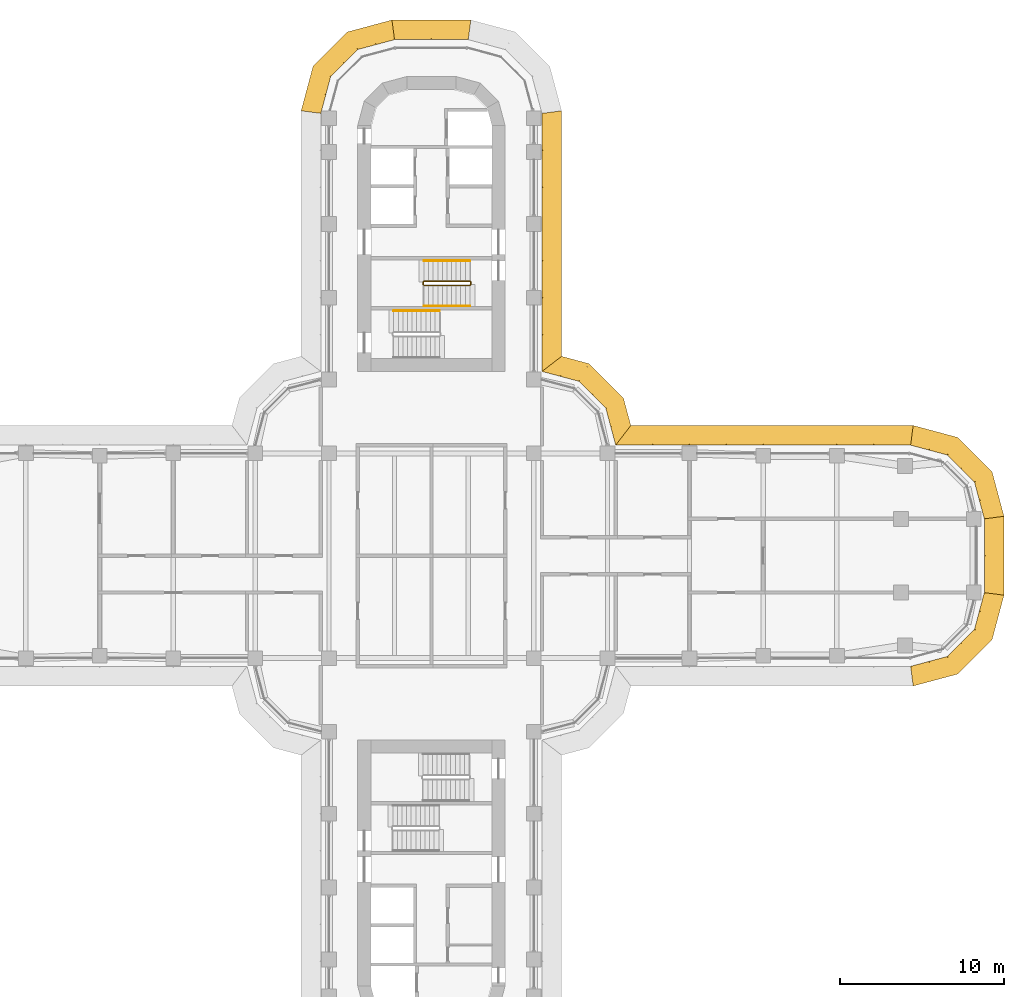
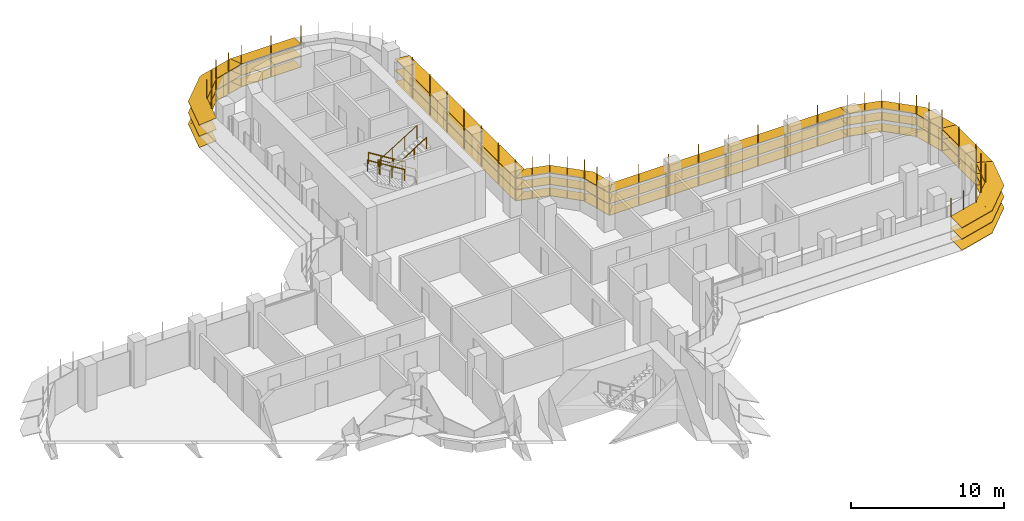
# One storey, part 21 of 22: 8 shading devices, 4 railings.
"""IFC4 building model written with IfcOpenShell, lengths in metres."""

from ifc_helpers import new_model, si_unit, direction, frame, origin, origin_2d, place, context, subcontext, project, spatial, polyline, circle, outline, extrude, faceted_brep, source, transform, mapped, material, type_object, element, save


model = new_model("IFC4")

# Units and contexts
model_context = context("Model", 3, precision=1e-05, world=origin(), true_north=direction((0.0, 1.0)))
body_context = subcontext(model_context, "Body", "Model", "MODEL_VIEW")
ifc_project = project(units=[si_unit("LENGTHUNIT", "METRE"), si_unit("AREAUNIT", "SQUARE_METRE"), si_unit("VOLUMEUNIT", "CUBIC_METRE"), si_unit("PLANEANGLEUNIT", "RADIAN"), si_unit("MASSUNIT", "GRAM", prefix="KILO")], contexts=[model_context])

# Site, building, storey
site_placement = place(None, origin())
site = spatial("IfcSite", under=ifc_project, at=site_placement, CompositionType="ELEMENT")
building_placement = place(site_placement, origin())
building = spatial("IfcBuilding", under=site, at=building_placement, Name="Zarbagh Exchange Tower", CompositionType="ELEMENT")
storey_placement = place(building_placement, frame((0.0, 0.0, 109.39990234375)))
storey = spatial("IfcBuildingStorey", under=building, at=storey_placement, Name="L25", CompositionType="ELEMENT", Elevation=109.39990234375)

# Railings
ifc_material_1 = material(Name="Stainless steel", Category="steel")
railing_type_1 = type_object("IfcRailingType", Name="Stair guard 1100 mm", PredefinedType="GUARDRAIL", material=ifc_material_1)
railing_1_placement = place(storey_placement, frame((-0.449951171875, 16.5, 2.07275390625)))
element("IfcRailing", 1, at=railing_1_placement, inside=storey, type_object=railing_type_1, Name="ST1 stair guard 1", PredefinedType="GUARDRAIL", context=body_context, shape_type="SweptSolid", body=[
    extrude(circle(Radius=0.02392578125, at=origin_2d()), frame((0.0, 0.0, 1.076171875), z_axis=(0.851089632645, 0.0, 0.525020415988), x_axis=(0.0, 1.0, 0.0)), (0.0, 0.0, 1.0), 3.2900390625),
    extrude(circle(Radius=0.02392578125, at=origin_2d()), frame((2.800048828125, 0.0, 2.80322265625), z_axis=(0.013104066473, 0.013168302093, -0.99982742474), x_axis=(-0.708833529934, 0.705375805398, 0.0)), (0.0, 0.0, 1.0), 3.80078125),
    extrude(circle(Radius=0.02392578125, at=origin_2d()), frame((2.849853515625, 0.050048828125, -0.99658203125), z_axis=(0.0, 1.0, 0.0), x_axis=(-1.0, 0.0, 0.0)), (0.0, 0.0, 1.0), 0.14990234375),
    extrude(circle(Radius=0.02392578125, at=origin_2d()), frame((2.849853515625, 0.199951171875, -0.99658203125), z_axis=(-0.266739603011, 0.268047150085, 0.925743328097), x_axis=(-0.708833529934, -0.705375805398, 0.0)), (0.0, 0.0, 1.0), 0.186767578125),
    extrude(circle(Radius=0.02392578125, at=origin_2d()), frame((2.800048828125, 0.25, -0.82373046875), z_axis=(-0.851089632645, 0.0, 0.525020415988), x_axis=(0.0, -1.0, 0.0)), (0.0, 0.0, 1.0), 3.2900390625),
    extrude(circle(Radius=0.02392578125, at=origin_2d()), frame((0.0, 0.25, 0.9033203125), z_axis=(-0.707106781187, -0.707106781187, 0.0), x_axis=(0.707106781187, -0.707106781187, 0.0)), (0.0, 0.0, 1.0), 0.07080078125),
    extrude(circle(Radius=0.02392578125, at=origin_2d()), frame((-0.050048828125, 0.199951171875, 0.9033203125), z_axis=(0.0, -1.0, 0.0), x_axis=(1.0, 0.0, 0.0)), (0.0, 0.0, 1.0), 0.14990234375),
    extrude(circle(Radius=0.02099609375, at=origin_2d()), origin(), (0.0, 0.0, 1.0), 1.052001953125),
    extrude(circle(Radius=0.02099609375, at=origin_2d()), frame((0.933349609375, 0.0, 0.57568359375)), (0.0, 0.0, 1.0), 1.052001953125),
    extrude(circle(Radius=0.02099609375, at=origin_2d()), frame((1.86669921875, 0.0, 1.151611328125)), (0.0, 0.0, 1.0), 1.052001953125),
    extrude(circle(Radius=0.02099609375, at=origin_2d()), frame((2.800048828125, 0.0, 1.727294921875)), (0.0, 0.0, 1.0), 1.052001953125),
    extrude(circle(Radius=0.02099609375, at=origin_2d()), frame((2.8125, 0.012451171875, 0.77734375)), (0.0, 0.0, 1.0), 1.052001953125),
    extrude(circle(Radius=0.02099609375, at=origin_2d()), frame((2.824951171875, 0.02490234375, -0.1728515625)), (0.0, 0.0, 1.0), 1.052001953125),
    extrude(circle(Radius=0.02099609375, at=origin_2d()), frame((2.83740234375, 0.03759765625, -1.122802734375)), (0.0, 0.0, 1.0), 1.052001953125),
    extrude(circle(Radius=0.02099609375, at=origin_2d()), frame((2.849853515625, 0.050048828125, -2.07275390625)), (0.0, 0.0, 1.0), 1.052001953125),
    extrude(circle(Radius=0.02099609375, at=origin_2d()), frame((2.849853515625, 0.199951171875, -2.07275390625)), (0.0, 0.0, 1.0), 1.052001953125),
    extrude(circle(Radius=0.02099609375, at=origin_2d()), frame((2.800048828125, 0.25, -1.89990234375)), (0.0, 0.0, 1.0), 1.052001953125),
    extrude(circle(Radius=0.02099609375, at=origin_2d()), frame((1.86669921875, 0.25, -1.32421875)), (0.0, 0.0, 1.0), 1.052001953125),
    extrude(circle(Radius=0.02099609375, at=origin_2d()), frame((0.933349609375, 0.25, -0.748291015625)), (0.0, 0.0, 1.0), 1.052001953125),
    extrude(circle(Radius=0.02099609375, at=origin_2d()), frame((0.0, 0.25, -0.172607421875)), (0.0, 0.0, 1.0), 1.052001953125),
    extrude(circle(Radius=0.02099609375, at=origin_2d()), frame((-0.050048828125, 0.199951171875, -0.172607421875)), (0.0, 0.0, 1.0), 1.052001953125),
    extrude(circle(Radius=0.02099609375, at=origin_2d()), frame((-0.050048828125, 0.050048828125, -0.172607421875)), (0.0, 0.0, 1.0), 1.052001953125),
])
railing_type_2 = type_object("IfcRailingType", Name="Stair handrail 900 mm", PredefinedType="HANDRAIL", material=ifc_material_1)
railing_2_placement = place(storey_placement, frame((2.35009765625, 18.0, 0.1728515625)))
element("IfcRailing", 2, at=railing_2_placement, inside=storey, type_object=railing_type_2, Name="ST1 stair handrail 1", PredefinedType="HANDRAIL", context=body_context, shape_type="SweptSolid", body=[
    extrude(circle(Radius=0.02392578125, at=origin_2d()), frame((0.0, 0.0, 0.8759765625), z_axis=(-0.851089632645, 0.0, 0.525020415988), x_axis=(0.0, -1.0, 0.0)), (0.0, 0.0, 1.0), 3.2900390625),
    extrude(circle(Radius=0.02099609375, at=origin_2d()), origin(), (0.0, 0.0, 1.0), 0.851806640625),
    extrude(circle(Radius=0.02099609375, at=origin_2d()), frame((-0.933349609375, 0.0, 0.57568359375)), (0.0, 0.0, 1.0), 0.851806640625),
    extrude(circle(Radius=0.02099609375, at=origin_2d()), frame((-1.86669921875, 0.0, 1.151611328125)), (0.0, 0.0, 1.0), 0.851806640625),
    extrude(circle(Radius=0.02099609375, at=origin_2d()), frame((-2.800048828125, 0.0, 1.727294921875)), (0.0, 0.0, 1.0), 0.851806640625),
])
railing_3_placement = place(storey_placement, frame((-0.449951171875, 15.25, 2.07275390625)))
element("IfcRailing", 3, at=railing_3_placement, inside=storey, type_object=railing_type_2, Name="ST1 stair handrail 2", PredefinedType="HANDRAIL", context=body_context, shape_type="SweptSolid", body=[
    extrude(circle(Radius=0.02392578125, at=origin_2d()), frame((0.0, 0.0, 0.8759765625), z_axis=(0.851089632645, 0.0, 0.525020415988), x_axis=(0.0, 1.0, 0.0)), (0.0, 0.0, 1.0), 3.2900390625),
    extrude(circle(Radius=0.02099609375, at=origin_2d()), origin(), (0.0, 0.0, 1.0), 0.851806640625),
    extrude(circle(Radius=0.02099609375, at=origin_2d()), frame((0.933349609375, 0.0, 0.57568359375)), (0.0, 0.0, 1.0), 0.851806640625),
    extrude(circle(Radius=0.02099609375, at=origin_2d()), frame((1.86669921875, 0.0, 1.151611328125)), (0.0, 0.0, 1.0), 0.851806640625),
    extrude(circle(Radius=0.02099609375, at=origin_2d()), frame((2.800048828125, 0.0, 1.727294921875)), (0.0, 0.0, 1.0), 0.851806640625),
])
railing_4_placement = place(storey_placement, frame((0.5, 14.949951171875, 2.07275390625)))
element("IfcRailing", 4, at=railing_4_placement, inside=storey, type_object=railing_type_2, Name="ST2 stair handrail 2", PredefinedType="HANDRAIL", context=body_context, shape_type="SweptSolid", body=[
    extrude(circle(Radius=0.02392578125, at=origin_2d()), frame((0.0, 0.0, 0.8759765625), z_axis=(-0.851089632645, 0.0, 0.525020415988), x_axis=(0.0, -1.0, 0.0)), (0.0, 0.0, 1.0), 3.2900390625),
    extrude(circle(Radius=0.02099609375, at=origin_2d()), origin(), (0.0, 0.0, 1.0), 0.851806640625),
    extrude(circle(Radius=0.02099609375, at=origin_2d()), frame((-0.933349609375, 0.0, 0.57568359375)), (0.0, 0.0, 1.0), 0.851806640625),
    extrude(circle(Radius=0.02099609375, at=origin_2d()), frame((-1.86669921875, 0.0, 1.151611328125)), (0.0, 0.0, 1.0), 0.851806640625),
    extrude(circle(Radius=0.02099609375, at=origin_2d()), frame((-2.800048828125, 0.0, 1.727294921875)), (0.0, 0.0, 1.0), 0.851806640625),
])

# Shading devices
ifc_material_2 = material(Name="Anodised aluminium blades and brackets", Category="aluminium")
shading_device_type = type_object("IfcShadingDeviceType", Name="SUNSHADE louvre band, 11.25 degree blades", PredefinedType="JALOUSIE", material=ifc_material_2)
shared_shape_1 = source(origin(), body_context, "Body", "Brep", [
    faceted_brep([(0.0, 0.0, 0.0), (0.0, 0.0, -0.040771484375), (-0.157958984375, -1.199951171875, -0.279541015625), (-0.157958984375, -1.199951171875, -0.23876953125), (2.65087890625, -1.199951171875, -0.23876953125), (2.65087890625, -1.199951171875, -0.279541015625), (2.329345703125, 0.0, -0.040771484375), (2.329345703125, 0.0, 0.0)], [[[0, 1, 2, 3]], [[4, 5, 6, 7]], [[0, 7, 6, 1]], [[1, 6, 5, 2]], [[2, 5, 4, 3]], [[3, 4, 7, 0]]]),
])
shared_shape_2 = source(origin(), body_context, "Body", "Brep", [
    faceted_brep([(0.0, 0.0, 0.0), (0.0, 0.0, -0.040771484375), (-0.321533203125, -1.199951171875, -0.279541015625), (-0.321533203125, -1.199951171875, -0.23876953125), (2.65087890625, -1.199951171875, -0.23876953125), (2.65087890625, -1.199951171875, -0.279541015625), (2.329345703125, 0.0, -0.040771484375), (2.329345703125, 0.0, 0.0)], [[[0, 1, 2, 3]], [[4, 5, 6, 7]], [[0, 7, 6, 1]], [[1, 6, 5, 2]], [[2, 5, 4, 3]], [[3, 4, 7, 0]]]),
])
shared_shape_3 = source(origin(), body_context, "Body", "Brep", [
    faceted_brep([(0.0, 0.0, 0.0), (0.0, 0.0, -0.040771484375), (-0.321533203125, -1.199951171875, -0.279541015625), (-0.321533203125, -1.199951171875, -0.23876953125), (2.4873046875, -1.199951171875, -0.23876953125), (2.4873046875, -1.199951171875, -0.279541015625), (2.329345703125, 0.0, -0.040771484375), (2.329345703125, 0.0, 0.0)], [[[0, 1, 2, 3]], [[4, 5, 6, 7]], [[0, 7, 6, 1]], [[1, 6, 5, 2]], [[2, 5, 4, 3]], [[3, 4, 7, 0]]]),
])
shared_shape_4 = source(origin(), body_context, "Body", "SweptSolid", [
    extrude(outline(polyline([(0.0, -0.012451171875), (0.06005859375, -0.012451171875), (0.06005859375, 0.012451171875), (0.0, 0.012451171875), (0.0, -0.012451171875)])), origin(), (0.0, 0.0, 1.0), 3.350830078125),
])
placement = place(storey_placement, origin())
element("IfcShadingDevice", 5, at=placement, inside=storey, type_object=shading_device_type, Name="SS05 sunshade band", PredefinedType="JALOUSIE", context=body_context, shape_type="MappedRepresentation", body=[
    mapped(shared_shape_1, transform((29.25, -6.75, 2.300048828125), x_axis=(0.965924289636, 0.258824779902, 0.0), y_axis=(-0.258824779902, 0.965924289636, 0.0), z_axis=(0.0, 0.0, 1.0))),
    mapped(shared_shape_1, transform((29.25, -6.75, 1.400146484375), x_axis=(0.965924289636, 0.258824779902, 0.0), y_axis=(-0.258824779902, 0.965924289636, 0.0), z_axis=(0.0, 0.0, 1.0))),
    mapped(shared_shape_1, transform((29.25, -6.75, 0.5), x_axis=(0.965924289636, 0.258824779902, 0.0), y_axis=(-0.258824779902, 0.965924289636, 0.0), z_axis=(0.0, 0.0, 1.0))),
    mapped(shared_shape_2, transform((31.5, -6.147216796875, 2.300048828125), x_axis=(0.707106781187, 0.707106781187, 0.0), y_axis=(-0.707106781187, 0.707106781187, 0.0), z_axis=(0.0, 0.0, 1.0))),
    mapped(shared_shape_2, transform((31.5, -6.147216796875, 1.400146484375), x_axis=(0.707106781187, 0.707106781187, 0.0), y_axis=(-0.707106781187, 0.707106781187, 0.0), z_axis=(0.0, 0.0, 1.0))),
    mapped(shared_shape_2, transform((31.5, -6.147216796875, 0.5), x_axis=(0.707106781187, 0.707106781187, 0.0), y_axis=(-0.707106781187, 0.707106781187, 0.0), z_axis=(0.0, 0.0, 1.0))),
    mapped(shared_shape_3, transform((33.147216796875, -4.5, 2.300048828125), x_axis=(0.258824779902, 0.965924289636, 0.0), y_axis=(-0.965924289636, 0.258824779902, 0.0), z_axis=(0.0, 0.0, 1.0))),
    mapped(shared_shape_3, transform((33.147216796875, -4.5, 1.400146484375), x_axis=(0.258824779902, 0.965924289636, 0.0), y_axis=(-0.965924289636, 0.258824779902, 0.0), z_axis=(0.0, 0.0, 1.0))),
    mapped(shared_shape_3, transform((33.147216796875, -4.5, 0.5), x_axis=(0.258824779902, 0.965924289636, 0.0), y_axis=(-0.965924289636, 0.258824779902, 0.0), z_axis=(0.0, 0.0, 1.0))),
    mapped(shared_shape_4, transform((29.25, -6.75, 0.42919921875), x_axis=(0.130529263012, -0.991444457092, 0.0), y_axis=(0.991444457092, 0.130529263012, 0.0), z_axis=(0.0, 0.0, 1.0))),
    mapped(shared_shape_4, transform((30.375, -6.448486328125, 0.42919921875), x_axis=(0.258825058029, -0.96592421511, 0.0), y_axis=(0.96592421511, 0.258825058029, 0.0), z_axis=(0.0, 0.0, 1.0))),
    mapped(shared_shape_4, transform((31.5, -6.147216796875, 0.42919921875), x_axis=(0.50000275701, -0.866023812018, 0.0), y_axis=(0.866023812018, 0.50000275701, 0.0), z_axis=(0.0, 0.0, 1.0))),
    mapped(shared_shape_4, transform((32.323486328125, -5.323486328125, 0.42919921875), x_axis=(0.707106781187, -0.707106781187, 0.0), y_axis=(0.707106781187, 0.707106781187, 0.0), z_axis=(0.0, 0.0, 1.0))),
    mapped(shared_shape_4, transform((33.147216796875, -4.5, 0.42919921875), x_axis=(0.866023812018, -0.50000275701, 0.0), y_axis=(0.50000275701, 0.866023812018, 0.0), z_axis=(0.0, 0.0, 1.0))),
    mapped(shared_shape_4, transform((33.448486328125, -3.375, 0.42919921875), x_axis=(0.96592421511, -0.258825058029, 0.0), y_axis=(0.258825058029, 0.96592421511, 0.0), z_axis=(0.0, 0.0, 1.0))),
])
element("IfcShadingDevice", 6, at=placement, inside=storey, type_object=shading_device_type, Name="SS07 sunshade band", PredefinedType="JALOUSIE", context=body_context, shape_type="MappedRepresentation", body=[
    mapped(shared_shape_1, transform((33.75, 2.25, 2.300048828125), x_axis=(-0.258824779902, 0.965924289636, 0.0), y_axis=(-0.965924289636, -0.258824779902, 0.0), z_axis=(0.0, 0.0, 1.0))),
    mapped(shared_shape_1, transform((33.75, 2.25, 1.400146484375), x_axis=(-0.258824779902, 0.965924289636, 0.0), y_axis=(-0.965924289636, -0.258824779902, 0.0), z_axis=(0.0, 0.0, 1.0))),
    mapped(shared_shape_1, transform((33.75, 2.25, 0.5), x_axis=(-0.258824779902, 0.965924289636, 0.0), y_axis=(-0.965924289636, -0.258824779902, 0.0), z_axis=(0.0, 0.0, 1.0))),
    mapped(shared_shape_2, transform((33.147216796875, 4.5, 2.300048828125), x_axis=(-0.707106781187, 0.707106781187, 0.0), y_axis=(-0.707106781187, -0.707106781187, 0.0), z_axis=(0.0, 0.0, 1.0))),
    mapped(shared_shape_2, transform((33.147216796875, 4.5, 1.400146484375), x_axis=(-0.707106781187, 0.707106781187, 0.0), y_axis=(-0.707106781187, -0.707106781187, 0.0), z_axis=(0.0, 0.0, 1.0))),
    mapped(shared_shape_2, transform((33.147216796875, 4.5, 0.5), x_axis=(-0.707106781187, 0.707106781187, 0.0), y_axis=(-0.707106781187, -0.707106781187, 0.0), z_axis=(0.0, 0.0, 1.0))),
    mapped(shared_shape_3, transform((31.5, 6.147216796875, 2.300048828125), x_axis=(-0.965924289636, 0.258824779902, 0.0), y_axis=(-0.258824779902, -0.965924289636, 0.0), z_axis=(0.0, 0.0, 1.0))),
    mapped(shared_shape_3, transform((31.5, 6.147216796875, 1.400146484375), x_axis=(-0.965924289636, 0.258824779902, 0.0), y_axis=(-0.258824779902, -0.965924289636, 0.0), z_axis=(0.0, 0.0, 1.0))),
    mapped(shared_shape_3, transform((31.5, 6.147216796875, 0.5), x_axis=(-0.965924289636, 0.258824779902, 0.0), y_axis=(-0.258824779902, -0.965924289636, 0.0), z_axis=(0.0, 0.0, 1.0))),
    mapped(shared_shape_4, transform((33.75, 2.25, 0.42919921875), x_axis=(0.991444457092, 0.130529263012, 0.0), y_axis=(-0.130529263012, 0.991444457092, 0.0), z_axis=(0.0, 0.0, 1.0))),
    mapped(shared_shape_4, transform((33.448486328125, 3.375, 0.42919921875), x_axis=(0.96592421511, 0.258825058029, 0.0), y_axis=(-0.258825058029, 0.96592421511, 0.0), z_axis=(0.0, 0.0, 1.0))),
    mapped(shared_shape_4, transform((33.147216796875, 4.5, 0.42919921875), x_axis=(0.866023812018, 0.50000275701, 0.0), y_axis=(-0.50000275701, 0.866023812018, 0.0), z_axis=(0.0, 0.0, 1.0))),
    mapped(shared_shape_4, transform((32.323486328125, 5.323486328125, 0.42919921875), x_axis=(0.707106781187, 0.707106781187, 0.0), y_axis=(-0.707106781187, 0.707106781187, 0.0), z_axis=(0.0, 0.0, 1.0))),
    mapped(shared_shape_4, transform((31.5, 6.147216796875, 0.42919921875), x_axis=(0.50000275701, 0.866023812018, 0.0), y_axis=(-0.866023812018, 0.50000275701, 0.0), z_axis=(0.0, 0.0, 1.0))),
    mapped(shared_shape_4, transform((30.375, 6.448486328125, 0.42919921875), x_axis=(0.258825058029, 0.96592421511, 0.0), y_axis=(-0.96592421511, 0.258825058029, 0.0), z_axis=(0.0, 0.0, 1.0))),
])
element("IfcShadingDevice", 7, at=placement, inside=storey, type_object=shading_device_type, Name="SS28 sunshade band", PredefinedType="JALOUSIE", context=body_context, shape_type="MappedRepresentation", body=[
    mapped(shared_shape_1, transform((-2.25, 31.5, 2.300048828125), x_axis=(-0.965924289636, -0.258824779902, 0.0), y_axis=(0.258824779902, -0.965924289636, 0.0), z_axis=(0.0, 0.0, 1.0))),
    mapped(shared_shape_1, transform((-2.25, 31.5, 1.400146484375), x_axis=(-0.965924289636, -0.258824779902, 0.0), y_axis=(0.258824779902, -0.965924289636, 0.0), z_axis=(0.0, 0.0, 1.0))),
    mapped(shared_shape_1, transform((-2.25, 31.5, 0.5), x_axis=(-0.965924289636, -0.258824779902, 0.0), y_axis=(0.258824779902, -0.965924289636, 0.0), z_axis=(0.0, 0.0, 1.0))),
    mapped(shared_shape_2, transform((-4.5, 30.897216796875, 2.300048828125), x_axis=(-0.707106781187, -0.707106781187, 0.0), y_axis=(0.707106781187, -0.707106781187, 0.0), z_axis=(0.0, 0.0, 1.0))),
    mapped(shared_shape_2, transform((-4.5, 30.897216796875, 1.400146484375), x_axis=(-0.707106781187, -0.707106781187, 0.0), y_axis=(0.707106781187, -0.707106781187, 0.0), z_axis=(0.0, 0.0, 1.0))),
    mapped(shared_shape_2, transform((-4.5, 30.897216796875, 0.5), x_axis=(-0.707106781187, -0.707106781187, 0.0), y_axis=(0.707106781187, -0.707106781187, 0.0), z_axis=(0.0, 0.0, 1.0))),
    mapped(shared_shape_3, transform((-6.147216796875, 29.25, 2.300048828125), x_axis=(-0.258824779902, -0.965924289636, 0.0), y_axis=(0.965924289636, -0.258824779902, 0.0), z_axis=(0.0, 0.0, 1.0))),
    mapped(shared_shape_3, transform((-6.147216796875, 29.25, 1.400146484375), x_axis=(-0.258824779902, -0.965924289636, 0.0), y_axis=(0.965924289636, -0.258824779902, 0.0), z_axis=(0.0, 0.0, 1.0))),
    mapped(shared_shape_3, transform((-6.147216796875, 29.25, 0.5), x_axis=(-0.258824779902, -0.965924289636, 0.0), y_axis=(0.965924289636, -0.258824779902, 0.0), z_axis=(0.0, 0.0, 1.0))),
    mapped(shared_shape_4, transform((-2.25, 31.5, 0.42919921875), x_axis=(-0.130529263012, 0.991444457092, 0.0), y_axis=(-0.991444457092, -0.130529263012, 0.0), z_axis=(0.0, 0.0, 1.0))),
    mapped(shared_shape_4, transform((-3.375, 31.198486328125, 0.42919921875), x_axis=(-0.258825058029, 0.96592421511, 0.0), y_axis=(-0.96592421511, -0.258825058029, 0.0), z_axis=(0.0, 0.0, 1.0))),
    mapped(shared_shape_4, transform((-4.5, 30.897216796875, 0.42919921875), x_axis=(-0.50000275701, 0.866023812018, 0.0), y_axis=(-0.866023812018, -0.50000275701, 0.0), z_axis=(0.0, 0.0, 1.0))),
    mapped(shared_shape_4, transform((-5.323486328125, 30.073486328125, 0.42919921875), x_axis=(-0.707106781187, 0.707106781187, 0.0), y_axis=(-0.707106781187, -0.707106781187, 0.0), z_axis=(0.0, 0.0, 1.0))),
    mapped(shared_shape_4, transform((-6.147216796875, 29.25, 0.42919921875), x_axis=(-0.866023812018, 0.50000275701, 0.0), y_axis=(-0.50000275701, -0.866023812018, 0.0), z_axis=(0.0, 0.0, 1.0))),
    mapped(shared_shape_4, transform((-6.448486328125, 28.125, 0.42919921875), x_axis=(-0.96592421511, 0.258825058029, 0.0), y_axis=(-0.258825058029, -0.96592421511, 0.0), z_axis=(0.0, 0.0, 1.0))),
])
shared_shape_5 = source(origin(), body_context, "Body", "Brep", [
    faceted_brep([(0.0, 0.0, 0.0), (0.0, 0.0, -0.040771484375), (0.9208984375, -1.199951171875, -0.279541015625), (0.9208984375, -1.199951171875, -0.23876953125), (2.65087890625, -1.199951171875, -0.23876953125), (2.65087890625, -1.199951171875, -0.279541015625), (2.329345703125, 0.0, -0.040771484375), (2.329345703125, 0.0, 0.0)], [[[0, 1, 2, 3]], [[4, 5, 6, 7]], [[0, 7, 6, 1]], [[1, 6, 5, 2]], [[2, 5, 4, 3]], [[3, 4, 7, 0]]]),
])
shared_shape_6 = source(origin(), body_context, "Body", "Brep", [
    faceted_brep([(0.0, 0.0, 0.0), (0.0, 0.0, -0.040771484375), (-0.321533203125, -1.199951171875, -0.279541015625), (-0.321533203125, -1.199951171875, -0.23876953125), (1.40869140625, -1.199951171875, -0.23876953125), (1.40869140625, -1.199951171875, -0.279541015625), (2.329345703125, 0.0, -0.040771484375), (2.329345703125, 0.0, 0.0)], [[[0, 1, 2, 3]], [[4, 5, 6, 7]], [[0, 7, 6, 1]], [[1, 6, 5, 2]], [[2, 5, 4, 3]], [[3, 4, 7, 0]]]),
])
element("IfcShadingDevice", 8, at=placement, inside=storey, type_object=shading_device_type, Name="SS09 sunshade band", PredefinedType="JALOUSIE", context=body_context, shape_type="MappedRepresentation", body=[
    mapped(shared_shape_5, transform((11.25, 6.75, 2.300048828125), x_axis=(-0.258824779902, 0.965924289636, 0.0), y_axis=(-0.965924289636, -0.258824779902, 0.0), z_axis=(0.0, 0.0, 1.0))),
    mapped(shared_shape_5, transform((11.25, 6.75, 1.400146484375), x_axis=(-0.258824779902, 0.965924289636, 0.0), y_axis=(-0.965924289636, -0.258824779902, 0.0), z_axis=(0.0, 0.0, 1.0))),
    mapped(shared_shape_5, transform((11.25, 6.75, 0.5), x_axis=(-0.258824779902, 0.965924289636, 0.0), y_axis=(-0.965924289636, -0.258824779902, 0.0), z_axis=(0.0, 0.0, 1.0))),
    mapped(shared_shape_2, transform((10.647216796875, 9.0, 2.300048828125), x_axis=(-0.707106781187, 0.707106781187, 0.0), y_axis=(-0.707106781187, -0.707106781187, 0.0), z_axis=(0.0, 0.0, 1.0))),
    mapped(shared_shape_2, transform((10.647216796875, 9.0, 1.400146484375), x_axis=(-0.707106781187, 0.707106781187, 0.0), y_axis=(-0.707106781187, -0.707106781187, 0.0), z_axis=(0.0, 0.0, 1.0))),
    mapped(shared_shape_2, transform((10.647216796875, 9.0, 0.5), x_axis=(-0.707106781187, 0.707106781187, 0.0), y_axis=(-0.707106781187, -0.707106781187, 0.0), z_axis=(0.0, 0.0, 1.0))),
    mapped(shared_shape_6, transform((9.0, 10.647216796875, 2.300048828125), x_axis=(-0.965924289636, 0.258824779902, 0.0), y_axis=(-0.258824779902, -0.965924289636, 0.0), z_axis=(0.0, 0.0, 1.0))),
    mapped(shared_shape_6, transform((9.0, 10.647216796875, 1.400146484375), x_axis=(-0.965924289636, 0.258824779902, 0.0), y_axis=(-0.258824779902, -0.965924289636, 0.0), z_axis=(0.0, 0.0, 1.0))),
    mapped(shared_shape_6, transform((9.0, 10.647216796875, 0.5), x_axis=(-0.965924289636, 0.258824779902, 0.0), y_axis=(-0.258824779902, -0.965924289636, 0.0), z_axis=(0.0, 0.0, 1.0))),
    mapped(shared_shape_4, transform((11.25, 6.75, 0.42919921875), x_axis=(0.608758892, 0.793355287, 0.0), y_axis=(-0.793355287, 0.608758892, 0.0), z_axis=(0.0, 0.0, 1.0))),
    mapped(shared_shape_4, transform((10.948486328125, 7.875, 0.42919921875), x_axis=(0.96592421511, 0.258825058029, 0.0), y_axis=(-0.258825058029, 0.96592421511, 0.0), z_axis=(0.0, 0.0, 1.0))),
    mapped(shared_shape_4, transform((10.647216796875, 9.0, 0.42919921875), x_axis=(0.866023812018, 0.50000275701, 0.0), y_axis=(-0.50000275701, 0.866023812018, 0.0), z_axis=(0.0, 0.0, 1.0))),
    mapped(shared_shape_4, transform((9.823486328125, 9.823486328125, 0.42919921875), x_axis=(0.707106781187, 0.707106781187, 0.0), y_axis=(-0.707106781187, 0.707106781187, 0.0), z_axis=(0.0, 0.0, 1.0))),
    mapped(shared_shape_4, transform((9.0, 10.647216796875, 0.42919921875), x_axis=(0.50000275701, 0.866023812018, 0.0), y_axis=(-0.866023812018, 0.50000275701, 0.0), z_axis=(0.0, 0.0, 1.0))),
    mapped(shared_shape_4, transform((7.875, 10.948486328125, 0.42919921875), x_axis=(0.258825058029, 0.96592421511, 0.0), y_axis=(-0.96592421511, 0.258825058029, 0.0), z_axis=(0.0, 0.0, 1.0))),
])
shared_shape_7 = source(origin(), body_context, "Body", "Brep", [
    faceted_brep([(0.0, 0.0, 0.0), (0.0, 0.0, -0.040771484375), (-0.157958984375, -1.199951171875, -0.279541015625), (-0.157958984375, -1.199951171875, -0.23876953125), (4.657958984375, -1.199951171875, -0.23876953125), (4.657958984375, -1.199951171875, -0.279541015625), (4.5, 0.0, -0.040771484375), (4.5, 0.0, 0.0)], [[[0, 1, 2, 3]], [[4, 5, 6, 7]], [[0, 7, 6, 1]], [[1, 6, 5, 2]], [[2, 5, 4, 3]], [[3, 4, 7, 0]]]),
])
element("IfcShadingDevice", 9, at=placement, inside=storey, type_object=shading_device_type, Name="SS06 sunshade band", PredefinedType="JALOUSIE", context=body_context, shape_type="MappedRepresentation", body=[
    mapped(shared_shape_7, transform((33.75, -2.25, 2.300048828125), x_axis=(0.0, 1.0, 0.0), y_axis=(-1.0, 0.0, 0.0), z_axis=(0.0, 0.0, 1.0))),
    mapped(shared_shape_7, transform((33.75, -2.25, 1.400146484375), x_axis=(0.0, 1.0, 0.0), y_axis=(-1.0, 0.0, 0.0), z_axis=(0.0, 0.0, 1.0))),
    mapped(shared_shape_7, transform((33.75, -2.25, 0.5), x_axis=(0.0, 1.0, 0.0), y_axis=(-1.0, 0.0, 0.0), z_axis=(0.0, 0.0, 1.0))),
    mapped(shared_shape_4, transform((33.75, -2.25, 0.42919921875), x_axis=(0.991444457092, -0.130529263012, 0.0), y_axis=(0.130529263012, 0.991444457092, 0.0), z_axis=(0.0, 0.0, 1.0))),
    mapped(shared_shape_4, transform((33.75, 0.0, 0.42919921875), x_axis=(1.0, 0.0, 0.0), y_axis=(0.0, 1.0, 0.0), z_axis=(0.0, 0.0, 1.0))),
])
shared_shape_8 = source(origin(), body_context, "Body", "Brep", [
    faceted_brep([(0.0, 0.0, 0.0), (0.0, 0.0, -0.040771484375), (-0.157958984375, -1.199951171875, -0.279541015625), (-0.157958984375, -1.199951171875, -0.23876953125), (17.0791015625, -1.199951171875, -0.23876953125), (17.0791015625, -1.199951171875, -0.279541015625), (18.0, 0.0, -0.040771484375), (18.0, 0.0, 0.0)], [[[0, 1, 2, 3]], [[4, 5, 6, 7]], [[0, 7, 6, 1]], [[1, 6, 5, 2]], [[2, 5, 4, 3]], [[3, 4, 7, 0]]]),
])
element("IfcShadingDevice", 10, at=placement, inside=storey, type_object=shading_device_type, Name="SS08 sunshade band", PredefinedType="JALOUSIE", context=body_context, shape_type="MappedRepresentation", body=[
    mapped(shared_shape_8, transform((29.25, 6.75, 2.300048828125), x_axis=(-1.0, 0.0, 0.0), y_axis=(0.0, -1.0, 0.0), z_axis=(0.0, 0.0, 1.0))),
    mapped(shared_shape_8, transform((29.25, 6.75, 1.400146484375), x_axis=(-1.0, 0.0, 0.0), y_axis=(0.0, -1.0, 0.0), z_axis=(0.0, 0.0, 1.0))),
    mapped(shared_shape_8, transform((29.25, 6.75, 0.5), x_axis=(-1.0, 0.0, 0.0), y_axis=(0.0, -1.0, 0.0), z_axis=(0.0, 0.0, 1.0))),
    mapped(shared_shape_4, transform((29.25, 6.75, 0.42919921875), x_axis=(0.130529263012, 0.991444457092, 0.0), y_axis=(-0.991444457092, 0.130529263012, 0.0), z_axis=(0.0, 0.0, 1.0))),
    mapped(shared_shape_4, transform((27.0, 6.75, 0.42919921875), x_axis=(0.0, 1.0, 0.0), y_axis=(-1.0, 0.0, 0.0), z_axis=(0.0, 0.0, 1.0))),
    mapped(shared_shape_4, transform((24.75, 6.75, 0.42919921875), x_axis=(0.0, 1.0, 0.0), y_axis=(-1.0, 0.0, 0.0), z_axis=(0.0, 0.0, 1.0))),
    mapped(shared_shape_4, transform((22.5, 6.75, 0.42919921875), x_axis=(0.0, 1.0, 0.0), y_axis=(-1.0, 0.0, 0.0), z_axis=(0.0, 0.0, 1.0))),
    mapped(shared_shape_4, transform((20.25, 6.75, 0.42919921875), x_axis=(0.0, 1.0, 0.0), y_axis=(-1.0, 0.0, 0.0), z_axis=(0.0, 0.0, 1.0))),
    mapped(shared_shape_4, transform((18.0, 6.75, 0.42919921875), x_axis=(0.0, 1.0, 0.0), y_axis=(-1.0, 0.0, 0.0), z_axis=(0.0, 0.0, 1.0))),
    mapped(shared_shape_4, transform((15.75, 6.75, 0.42919921875), x_axis=(0.0, 1.0, 0.0), y_axis=(-1.0, 0.0, 0.0), z_axis=(0.0, 0.0, 1.0))),
    mapped(shared_shape_4, transform((13.5, 6.75, 0.42919921875), x_axis=(0.0, 1.0, 0.0), y_axis=(-1.0, 0.0, 0.0), z_axis=(0.0, 0.0, 1.0))),
])
shared_shape_9 = source(origin(), body_context, "Body", "Brep", [
    faceted_brep([(0.0, 0.0, 0.0), (0.0, 0.0, -0.040771484375), (0.9208984375, -1.199951171875, -0.279541015625), (0.9208984375, -1.199951171875, -0.23876953125), (15.907958984375, -1.199951171875, -0.23876953125), (15.907958984375, -1.199951171875, -0.279541015625), (15.75, 0.0, -0.040771484375), (15.75, 0.0, 0.0)], [[[0, 1, 2, 3]], [[4, 5, 6, 7]], [[0, 7, 6, 1]], [[1, 6, 5, 2]], [[2, 5, 4, 3]], [[3, 4, 7, 0]]]),
])
element("IfcShadingDevice", 11, at=placement, inside=storey, type_object=shading_device_type, Name="SS25 sunshade band", PredefinedType="JALOUSIE", context=body_context, shape_type="MappedRepresentation", body=[
    mapped(shared_shape_9, transform((6.75, 11.25, 2.300048828125), x_axis=(0.0, 1.0, 0.0), y_axis=(-1.0, 0.0, 0.0), z_axis=(0.0, 0.0, 1.0))),
    mapped(shared_shape_9, transform((6.75, 11.25, 1.400146484375), x_axis=(0.0, 1.0, 0.0), y_axis=(-1.0, 0.0, 0.0), z_axis=(0.0, 0.0, 1.0))),
    mapped(shared_shape_9, transform((6.75, 11.25, 0.5), x_axis=(0.0, 1.0, 0.0), y_axis=(-1.0, 0.0, 0.0), z_axis=(0.0, 0.0, 1.0))),
    mapped(shared_shape_4, transform((6.75, 11.25, 0.42919921875), x_axis=(0.793355287, 0.608758892, 0.0), y_axis=(-0.608758892, 0.793355287, 0.0), z_axis=(0.0, 0.0, 1.0))),
    mapped(shared_shape_4, transform((6.75, 13.5, 0.42919921875), x_axis=(1.0, 0.0, 0.0), y_axis=(0.0, 1.0, 0.0), z_axis=(0.0, 0.0, 1.0))),
    mapped(shared_shape_4, transform((6.75, 15.75, 0.42919921875), x_axis=(1.0, 0.0, 0.0), y_axis=(0.0, 1.0, 0.0), z_axis=(0.0, 0.0, 1.0))),
    mapped(shared_shape_4, transform((6.75, 18.0, 0.42919921875), x_axis=(1.0, 0.0, 0.0), y_axis=(0.0, 1.0, 0.0), z_axis=(0.0, 0.0, 1.0))),
    mapped(shared_shape_4, transform((6.75, 20.25, 0.42919921875), x_axis=(1.0, 0.0, 0.0), y_axis=(0.0, 1.0, 0.0), z_axis=(0.0, 0.0, 1.0))),
    mapped(shared_shape_4, transform((6.75, 22.5, 0.42919921875), x_axis=(1.0, 0.0, 0.0), y_axis=(0.0, 1.0, 0.0), z_axis=(0.0, 0.0, 1.0))),
    mapped(shared_shape_4, transform((6.75, 24.75, 0.42919921875), x_axis=(1.0, 0.0, 0.0), y_axis=(0.0, 1.0, 0.0), z_axis=(0.0, 0.0, 1.0))),
])
element("IfcShadingDevice", 12, at=placement, inside=storey, type_object=shading_device_type, Name="SS27 sunshade band", PredefinedType="JALOUSIE", context=body_context, shape_type="MappedRepresentation", body=[
    mapped(shared_shape_7, transform((2.25, 31.5, 2.300048828125), x_axis=(-1.0, 0.0, 0.0), y_axis=(0.0, -1.0, 0.0), z_axis=(0.0, 0.0, 1.0))),
    mapped(shared_shape_7, transform((2.25, 31.5, 1.400146484375), x_axis=(-1.0, 0.0, 0.0), y_axis=(0.0, -1.0, 0.0), z_axis=(0.0, 0.0, 1.0))),
    mapped(shared_shape_7, transform((2.25, 31.5, 0.5), x_axis=(-1.0, 0.0, 0.0), y_axis=(0.0, -1.0, 0.0), z_axis=(0.0, 0.0, 1.0))),
    mapped(shared_shape_4, transform((2.25, 31.5, 0.42919921875), x_axis=(0.130529263012, 0.991444457092, 0.0), y_axis=(-0.991444457092, 0.130529263012, 0.0), z_axis=(0.0, 0.0, 1.0))),
    mapped(shared_shape_4, transform((0.0, 31.5, 0.42919921875), x_axis=(0.0, 1.0, 0.0), y_axis=(-1.0, 0.0, 0.0), z_axis=(0.0, 0.0, 1.0))),
])

save(model, "model.ifc")
